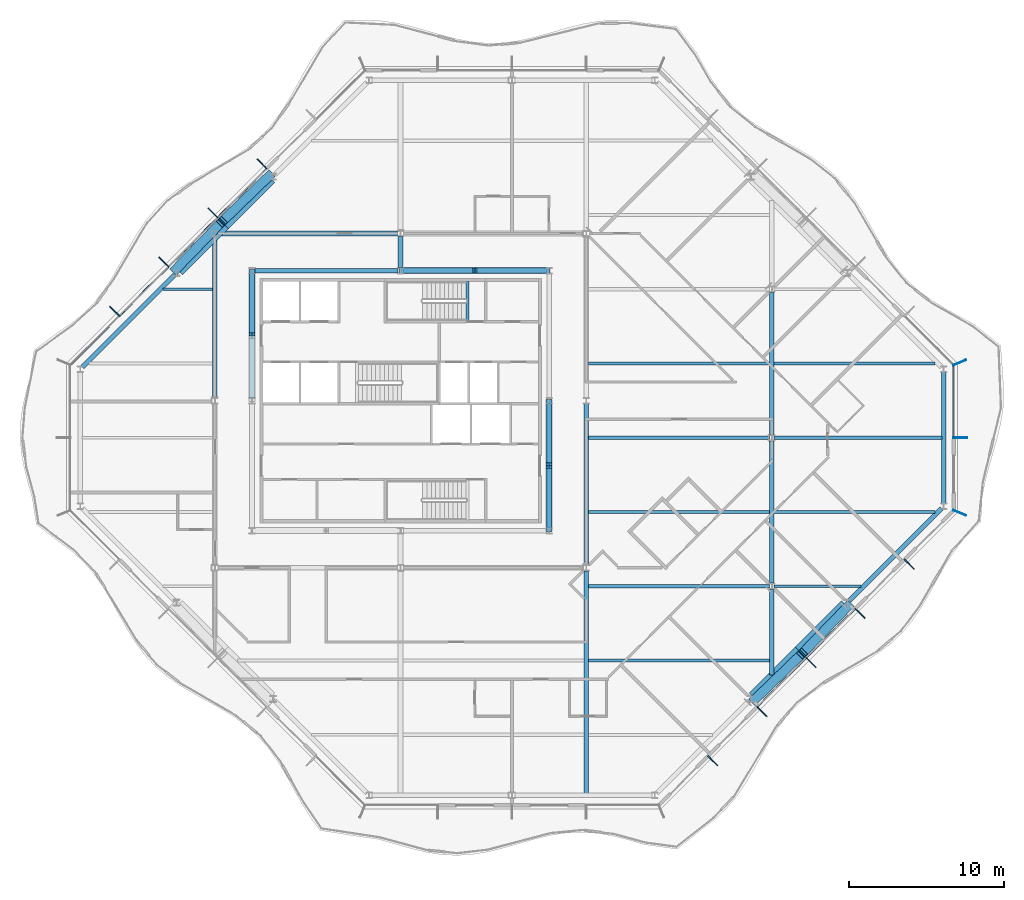
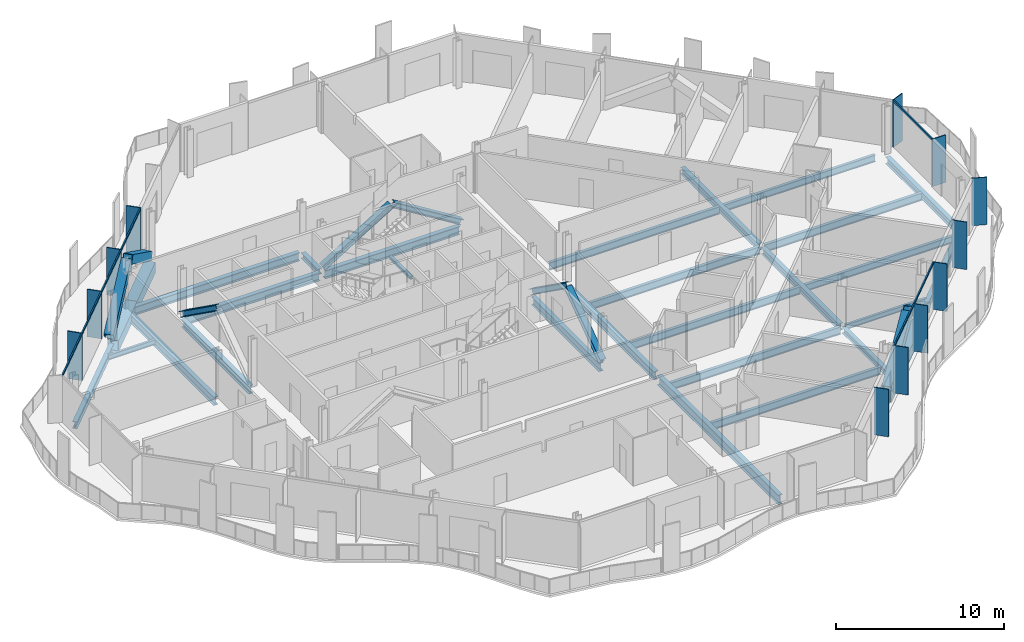
# One storey, part 4 of 17: 30 beams, 28 members, 4 elements without a shape of their own.
"""IFC4 building model written with IfcOpenShell, lengths in metres."""

from ifc_helpers import new_model, si_unit, direction, frame, origin, origin_2d, place, context, subcontext, project, spatial, rectangle, hollow_rectangle, i_section, extrude, material, material_profile, profile_set, type_object, element, aggregate, save


model = new_model("IFC4")

# Units and contexts
model_context = context("Model", 3, precision=1e-05, world=origin(), true_north=direction((0.0, 1.0)))
body_context = subcontext(model_context, "Body", "Model", "MODEL_VIEW")
ifc_project = project(units=[si_unit("LENGTHUNIT", "METRE"), si_unit("AREAUNIT", "SQUARE_METRE"), si_unit("VOLUMEUNIT", "CUBIC_METRE"), si_unit("PLANEANGLEUNIT", "RADIAN"), si_unit("MASSUNIT", "GRAM", prefix="KILO")], contexts=[model_context])

# Site, building, storey
site_placement = place(None, origin())
site = spatial("IfcSite", under=ifc_project, at=site_placement, CompositionType="ELEMENT")
building_placement = place(site_placement, origin())
building = spatial("IfcBuilding", under=site, at=building_placement, Name="Cairn Pilgrim Tower", CompositionType="ELEMENT")
storey_placement = place(building_placement, frame((0.0, 0.0, 246.60009765625)))
storey = spatial("IfcBuildingStorey", under=building, at=storey_placement, Name="L63", CompositionType="ELEMENT", Elevation=246.60009765625)

# Members
ifc_material_1 = material(Name="Structural steel S460M", Category="steel")
ifc_material_profile_1 = material_profile(ifc_material_1, hollow_rectangle(XDim=0.60009765625, YDim=0.60009765625, WallThickness=0.034912109375, at=origin_2d()), Name="BOX 600x600x35")
ifc_profile_set_1 = profile_set([ifc_material_profile_1], Name="Structural steel S460M")
member_type_1 = type_object("IfcMemberType", Name="BOX 600x600x35 BRACE", PredefinedType="BRACE", material=ifc_profile_set_1)
for number, where, z_axis, x_axis, name in (
    (1, (30.01318359375, -16.99462890625, 0.14990234375), (0.611806144004, 0.593141693494, 0.523331800675), (-0.696070308653, 0.717973624454, 0.0), "XB-SE2-SE3-1"),
    (2, (36.194580078125, -10.813232421875, 0.14990234375), (-0.593141693494, -0.611806144004, 0.523331800675), (0.717973624454, -0.696070308653, 0.0), "XB-SE2-SE3-2"),
    (3, (-1.213134765625, 16.99462890625, 0.14990234375), (-0.611806144004, -0.593141693494, 0.523331800675), (0.696070308653, -0.717973624454, 0.0), "XB-NW2-NW3-1"),
    (4, (-7.394775390625, 10.813232421875, 0.14990234375), (0.593141693494, 0.611806144004, 0.523331800675), (-0.717973624454, 0.696070308653, 0.0), "XB-NW2-NW3-2"),
):
    element("IfcMember", number, at=place(storey_placement, frame(where, z_axis=z_axis, x_axis=x_axis)), inside=storey, type_object=member_type_1, Name=name, PredefinedType="BRACE", context=body_context, shape_type="SweptSolid", body=[
        extrude(hollow_rectangle(XDim=0.60009765625, YDim=0.60009765625, WallThickness=0.034912109375, at=origin_2d()), origin(), (0.0, 0.0, 1.0), 5.035888671875),
    ])

# Beams
ifc_material_2 = material(Name="Structural steel S355J2", Category="steel")
ifc_material_profile_2 = material_profile(ifc_material_2, hollow_rectangle(XDim=0.699951171875, YDim=0.800048828125, WallThickness=0.0400390625, at=origin_2d()), Name="BOX 700x800x40")
ifc_profile_set_2 = profile_set([ifc_material_profile_2], Name="Structural steel S355J2")
beam_type_1 = type_object("IfcBeamType", Name="BOX 700x800x40 RING GIRDER", PredefinedType="SPANDREL", material=ifc_profile_set_2)
for number, where, z_axis, x_axis, name in (
    (5, (29.97998046875, -16.747314453125, -0.550048828125), (0.707106781187, 0.707106781187, 0.0), (-0.707106781187, 0.707106781187, 0.0), "RG3-SE2-SE3-1"),
    (6, (32.963623046875, -13.763671875, -0.550048828125), (0.707106781187, 0.707106781187, 0.0), (-0.707106781187, 0.707106781187, 0.0), "RG3-SE2-SE3-2"),
    (7, (-1.179931640625, 16.747314453125, -0.550048828125), (-0.707106781187, -0.707106781187, 0.0), (0.707106781187, -0.707106781187, 0.0), "RG3-NW2-NW3-1"),
    (8, (-4.16357421875, 13.763671875, -0.550048828125), (-0.707106781187, -0.707106781187, 0.0), (0.707106781187, -0.707106781187, 0.0), "RG3-NW2-NW3-2"),
):
    element("IfcBeam", number, at=place(storey_placement, frame(where, z_axis=z_axis, x_axis=x_axis)), inside=storey, type_object=beam_type_1, Name=name, PredefinedType="SPANDREL", context=body_context, shape_type="SweptSolid", body=[
        extrude(hollow_rectangle(XDim=0.699951171875, YDim=0.800048828125, WallThickness=0.0400390625, at=origin_2d()), origin(), (0.0, 0.0, 1.0), 4.219482421875),
    ])

# Curtain wall, members
ifc_material_3 = material(Name="Aluminium alloy 6063-T6 bronze anodised with Bronze tinted laminated low-E glass 8+16+8.8", Category="aluminium")
curtain_wall_type_1 = type_object("IfcCurtainWallType", Name="CHAMFER CORNER CURTAIN WALL", PredefinedType="NOTDEFINED", material=ifc_material_3)
curtain_wall_1_placement = place(storey_placement, origin())
curtain_wall_1 = element("IfcCurtainWall", 9, at=curtain_wall_1_placement, inside=storey, type_object=curtain_wall_type_1, Name="Chamfer Corner Curtain Wall SE", PredefinedType="NOTDEFINED")
ifc_material_4 = material(Name="Aluminium alloy 6063-T6 bronze anodised", Category="aluminium")
ifc_material_profile_3 = material_profile(ifc_material_4, rectangle(XDim=0.89990234375, YDim=0.06005859375, at=origin_2d()), Name="FIN MULLION 60x900 BRONZE")
ifc_profile_set_3 = profile_set([ifc_material_profile_3], Name="Aluminium alloy 6063-T6 bronze anodised")
member_type_2 = type_object("IfcMemberType", Name="FIN MULLION 60x900 BRONZE", PredefinedType="MULLION", material=ifc_profile_set_3)
member_1_placement = place(storey_placement, frame((27.369140625, -20.871337890625, 0.0), z_axis=(0.0, 0.0, 1.0), x_axis=(0.707106781187, -0.707106781187, 0.0)))
member_1 = element("IfcMember", 10, at=member_1_placement, type_object=member_type_2, Name="Fin mullion SE2", PredefinedType="MULLION", context=body_context, shape_type="SweptSolid", body=[
    extrude(rectangle(XDim=0.89990234375, YDim=0.06005859375, at=origin_2d()), origin(), (0.0, 0.0, 1.0), 3.449951171875),
])
member_2_placement = place(storey_placement, frame((30.544677734375, -17.69580078125, 0.0), z_axis=(0.0, 0.0, 1.0), x_axis=(0.707106781187, -0.707106781187, 0.0)))
member_2 = element("IfcMember", 11, at=member_2_placement, type_object=member_type_2, Name="Fin mullion SE3", PredefinedType="MULLION", context=body_context, shape_type="SweptSolid", body=[
    extrude(rectangle(XDim=0.89990234375, YDim=0.06005859375, at=origin_2d()), origin(), (0.0, 0.0, 1.0), 3.449951171875),
])
member_3_placement = place(storey_placement, frame((33.72021484375, -14.520263671875, 0.0), z_axis=(0.0, 0.0, 1.0), x_axis=(0.707106781187, -0.707106781187, 0.0)))
member_3 = element("IfcMember", 12, at=member_3_placement, type_object=member_type_2, Name="Fin mullion SE4", PredefinedType="MULLION", context=body_context, shape_type="SweptSolid", body=[
    extrude(rectangle(XDim=0.89990234375, YDim=0.06005859375, at=origin_2d()), origin(), (0.0, 0.0, 1.0), 3.449951171875),
])
member_4_placement = place(storey_placement, frame((36.895751953125, -11.3447265625, 0.0), z_axis=(0.0, 0.0, 1.0), x_axis=(0.707106781187, -0.707106781187, 0.0)))
member_4 = element("IfcMember", 13, at=member_4_placement, type_object=member_type_2, Name="Fin mullion SE5", PredefinedType="MULLION", context=body_context, shape_type="SweptSolid", body=[
    extrude(rectangle(XDim=0.89990234375, YDim=0.06005859375, at=origin_2d()), origin(), (0.0, 0.0, 1.0), 3.449951171875),
])
member_5_placement = place(storey_placement, frame((40.0712890625, -8.1689453125, 0.0), z_axis=(0.0, 0.0, 1.0), x_axis=(0.707106781187, -0.707106781187, 0.0)))
member_5 = element("IfcMember", 14, at=member_5_placement, type_object=member_type_2, Name="Fin mullion SE6", PredefinedType="MULLION", context=body_context, shape_type="SweptSolid", body=[
    extrude(rectangle(XDim=0.89990234375, YDim=0.06005859375, at=origin_2d()), origin(), (0.0, 0.0, 1.0), 3.449951171875),
])

curtain_wall_type_2 = type_object("IfcCurtainWallType", Name="TOWER STICK CURTAIN WALL EW", PredefinedType="NOTDEFINED", material=ifc_material_3)
curtain_wall_2_placement = place(storey_placement, origin())
curtain_wall_2 = element("IfcCurtainWall", 15, at=curtain_wall_2_placement, inside=storey, type_object=curtain_wall_type_2, Name="Tower Stick Curtain Wall Ew E", PredefinedType="NOTDEFINED")
member_6_placement = place(storey_placement, frame((43.338134765625, -4.857177734375, 0.0), z_axis=(0.0, 0.0, 1.0), x_axis=(0.923879532511, -0.382683432365, 0.0)))
member_6 = element("IfcMember", 16, at=member_6_placement, type_object=member_type_2, Name="Fin mullion E1", PredefinedType="MULLION", context=body_context, shape_type="SweptSolid", body=[
    extrude(rectangle(XDim=0.89990234375, YDim=0.06005859375, at=origin_2d()), origin(), (0.0, 0.0, 1.0), 3.449951171875),
])
member_7_placement = place(storey_placement, frame((43.3701171875, 0.0, 0.0), z_axis=(0.0, 0.0, 1.0), x_axis=(1.0, 0.0, 0.0)))
member_7 = element("IfcMember", 17, at=member_7_placement, type_object=member_type_2, Name="Fin mullion E2", PredefinedType="MULLION", context=body_context, shape_type="SweptSolid", body=[
    extrude(rectangle(XDim=0.89990234375, YDim=0.06005859375, at=origin_2d()), origin(), (0.0, 0.0, 1.0), 3.449951171875),
])

# Curtain wall, member
curtain_wall_3_placement = place(storey_placement, origin())
curtain_wall_3 = element("IfcCurtainWall", 18, at=curtain_wall_3_placement, inside=storey, type_object=curtain_wall_type_1, Name="Chamfer Corner Curtain Wall NE", PredefinedType="NOTDEFINED")
member_8_placement = place(storey_placement, frame((43.338134765625, 4.857177734375, 0.0), z_axis=(0.0, 0.0, 1.0), x_axis=(0.923879532511, 0.382683432365, 0.0)))
member_8 = element("IfcMember", 19, at=member_8_placement, type_object=member_type_2, Name="Fin mullion NE1", PredefinedType="MULLION", context=body_context, shape_type="SweptSolid", body=[
    extrude(rectangle(XDim=0.89990234375, YDim=0.06005859375, at=origin_2d()), origin(), (0.0, 0.0, 1.0), 3.449951171875),
])
aggregate(curtain_wall_3, [member_8])

# Curtain wall, members
curtain_wall_4_placement = place(storey_placement, origin())
curtain_wall_4 = element("IfcCurtainWall", 20, at=curtain_wall_4_placement, inside=storey, type_object=curtain_wall_type_1, Name="Chamfer Corner Curtain Wall NW", PredefinedType="NOTDEFINED")
member_9_placement = place(storey_placement, frame((-1.74462890625, 17.69580078125, 0.0), z_axis=(0.0, 0.0, 1.0), x_axis=(-0.707106781187, 0.707106781187, 0.0)))
member_9 = element("IfcMember", 21, at=member_9_placement, type_object=member_type_2, Name="Fin mullion NW3", PredefinedType="MULLION", context=body_context, shape_type="SweptSolid", body=[
    extrude(rectangle(XDim=0.89990234375, YDim=0.06005859375, at=origin_2d()), origin(), (0.0, 0.0, 1.0), 3.449951171875),
])
member_10_placement = place(storey_placement, frame((-4.920166015625, 14.520263671875, 0.0), z_axis=(0.0, 0.0, 1.0), x_axis=(-0.707106781187, 0.707106781187, 0.0)))
member_10 = element("IfcMember", 22, at=member_10_placement, type_object=member_type_2, Name="Fin mullion NW4", PredefinedType="MULLION", context=body_context, shape_type="SweptSolid", body=[
    extrude(rectangle(XDim=0.89990234375, YDim=0.06005859375, at=origin_2d()), origin(), (0.0, 0.0, 1.0), 3.449951171875),
])
member_11_placement = place(storey_placement, frame((-8.095703125, 11.3447265625, 0.0), z_axis=(0.0, 0.0, 1.0), x_axis=(-0.707106781187, 0.707106781187, 0.0)))
member_11 = element("IfcMember", 23, at=member_11_placement, type_object=member_type_2, Name="Fin mullion NW5", PredefinedType="MULLION", context=body_context, shape_type="SweptSolid", body=[
    extrude(rectangle(XDim=0.89990234375, YDim=0.06005859375, at=origin_2d()), origin(), (0.0, 0.0, 1.0), 3.449951171875),
])
member_12_placement = place(storey_placement, frame((-11.271484375, 8.1689453125, 0.0), z_axis=(0.0, 0.0, 1.0), x_axis=(-0.707106781187, 0.707106781187, 0.0)))
member_12 = element("IfcMember", 24, at=member_12_placement, type_object=member_type_2, Name="Fin mullion NW6", PredefinedType="MULLION", context=body_context, shape_type="SweptSolid", body=[
    extrude(rectangle(XDim=0.89990234375, YDim=0.06005859375, at=origin_2d()), origin(), (0.0, 0.0, 1.0), 3.449951171875),
])

# Members
ifc_material_profile_4 = material_profile(ifc_material_2, i_section(OverallWidth=0.39794921875, OverallDepth=0.386962890625, WebThickness=0.02099609375, FlangeThickness=0.033203125, FilletRadius=0.014892578125, at=origin_2d()), Name="HD 400x262")
ifc_profile_set_4 = profile_set([ifc_material_profile_4], Name="Structural steel S355J2")
member_type_3 = type_object("IfcMemberType", Name="HD 400x262 BRACE", PredefinedType="BRACE", material=ifc_profile_set_4)
for number, where, z_axis, x_axis, name in (
    (25, (16.800048828125, -5.960205078125, 0.099853515625), (0.0, 0.814462005215, 0.580216892258), (-1.0, 0.0, 0.0), "KB-2A"),
    (26, (16.800048828125, 2.360107421875, 0.099853515625), (0.0, -0.814462005215, 0.580216892258), (1.0, 0.0, 0.0), "KB-2B"),
):
    element("IfcMember", number, at=place(storey_placement, frame(where, z_axis=z_axis, x_axis=x_axis)), inside=storey, type_object=member_type_3, Name=name, PredefinedType="BRACE", context=body_context, shape_type="SweptSolid", body=[
        extrude(i_section(OverallWidth=0.39794921875, OverallDepth=0.386962890625, WebThickness=0.02099609375, FlangeThickness=0.033203125, FilletRadius=0.014892578125, at=origin_2d()), origin(), (0.0, 0.0, 1.0), 4.999755859375),
    ])
for number, where, z_axis, x_axis, name in (
    (27, (16.76025390625, 10.800048828125, 0.099853515625), (-0.851209328867, 0.0, 0.524826331703), (0.0, -1.0, 0.0), "KB-3A"),
    (28, (7.23974609375, 10.800048828125, 0.099853515625), (0.851209328867, 0.0, 0.524826331703), (0.0, 1.0, 0.0), "KB-3B"),
):
    element("IfcMember", number, at=place(storey_placement, frame(where, z_axis=z_axis, x_axis=x_axis)), inside=storey, type_object=member_type_3, Name=name, PredefinedType="BRACE", context=body_context, shape_type="SweptSolid", body=[
        extrude(i_section(OverallWidth=0.39794921875, OverallDepth=0.386962890625, WebThickness=0.02099609375, FlangeThickness=0.033203125, FilletRadius=0.014892578125, at=origin_2d()), origin(), (0.0, 0.0, 1.0), 5.530029296875),
    ])
member_13_placement = place(storey_placement, frame((-2.39990234375, 10.76025390625, 0.099853515625), z_axis=(0.0, -0.814462005215, 0.580216892258), x_axis=(1.0, 0.0, 0.0)))
element("IfcMember", 29, at=member_13_placement, inside=storey, type_object=member_type_3, Name="KB-4A", PredefinedType="BRACE", context=body_context, shape_type="SweptSolid", body=[
    extrude(i_section(OverallWidth=0.39794921875, OverallDepth=0.386962890625, WebThickness=0.02099609375, FlangeThickness=0.033203125, FilletRadius=0.014892578125, at=origin_2d()), origin(), (0.0, 0.0, 1.0), 4.999755859375),
])

# Beams
ifc_material_profile_5 = material_profile(ifc_material_2, i_section(OverallWidth=0.300048828125, OverallDepth=0.39990234375, WebThickness=0.013427734375, FlangeThickness=0.02392578125, FilletRadius=0.027099609375, at=origin_2d()), Name="HEB 400")
ifc_profile_set_5 = profile_set([ifc_material_profile_5], Name="Structural steel S355J2")
beam_type_2 = type_object("IfcBeamType", Name="HEB 400 GIRDER", PredefinedType="BEAM", material=ifc_profile_set_5)
beam_1_placement = place(storey_placement, frame((7.199951171875, 10.9990234375, -0.35009765625), z_axis=(0.0, 1.0, 0.0), x_axis=(-1.0, 0.0, 0.0)))
element("IfcBeam", 30, at=beam_1_placement, inside=storey, type_object=beam_type_2, Name="PG3-E2", PredefinedType="BEAM", context=body_context, shape_type="SweptSolid", body=[
    extrude(i_section(OverallWidth=0.300048828125, OverallDepth=0.39990234375, WebThickness=0.013427734375, FlangeThickness=0.02392578125, FilletRadius=0.027099609375, at=origin_2d()), origin(), (0.0, 0.0, 1.0), 2.00390625),
])
beam_2_placement = place(storey_placement, frame((31.199951171875, -15.34521484375, -0.35009765625), z_axis=(0.0, 1.0, 0.0), x_axis=(-1.0, 0.0, 0.0)))
element("IfcBeam", 31, at=beam_2_placement, inside=storey, type_object=beam_type_2, Name="PG5-1", PredefinedType="BEAM", context=body_context, shape_type="SweptSolid", body=[
    extrude(i_section(OverallWidth=0.300048828125, OverallDepth=0.39990234375, WebThickness=0.013427734375, FlangeThickness=0.02392578125, FilletRadius=0.027099609375, at=origin_2d()), origin(), (0.0, 0.0, 1.0), 5.545654296875),
])
ifc_material_profile_6 = material_profile(ifc_material_2, i_section(OverallWidth=0.300048828125, OverallDepth=0.5, WebThickness=0.014404296875, FlangeThickness=0.028076171875, FilletRadius=0.027099609375, at=origin_2d()), Name="HEB 500")
ifc_profile_set_6 = profile_set([ifc_material_profile_6], Name="Structural steel S355J2")
beam_type_3 = type_object("IfcBeamType", Name="HEB 500 GIRDER", PredefinedType="BEAM", material=ifc_profile_set_6)
for number, where, z_axis, x_axis, name in (
    (32, (31.199951171875, -9.400390625, -0.400146484375), (0.0, 1.0, 0.0), (-1.0, 0.0, 0.0), "PG5-2"),
    (33, (31.199951171875, 0.199462890625, -0.400146484375), (0.0, 1.0, 0.0), (-1.0, 0.0, 0.0), "PG5-3"),
):
    element("IfcBeam", number, at=place(storey_placement, frame(where, z_axis=z_axis, x_axis=x_axis)), inside=storey, type_object=beam_type_3, Name=name, PredefinedType="BEAM", context=body_context, shape_type="SweptSolid", body=[
        extrude(i_section(OverallWidth=0.300048828125, OverallDepth=0.5, WebThickness=0.014404296875, FlangeThickness=0.028076171875, FilletRadius=0.027099609375, at=origin_2d()), origin(), (0.0, 0.0, 1.0), 9.200927734375),
    ])
ifc_material_profile_7 = material_profile(ifc_material_2, i_section(OverallWidth=0.300048828125, OverallDepth=0.5, WebThickness=0.014404296875, FlangeThickness=0.028076171875, FilletRadius=0.027099609375, at=origin_2d()), Name="HEB 500")
ifc_profile_set_7 = profile_set([ifc_material_profile_7], Name="Structural steel S355J2")
beam_type_4 = type_object("IfcBeamType", Name="HEB 500 RING GIRDER", PredefinedType="SPANDREL", material=ifc_profile_set_7)
beam_3_placement = place(storey_placement, frame((36.204345703125, -10.52294921875, -0.400146484375), z_axis=(0.707106781187, 0.707106781187, 0.0), x_axis=(-0.707106781187, 0.707106781187, 0.0)))
element("IfcBeam", 34, at=beam_3_placement, inside=storey, type_object=beam_type_4, Name="RG3-SE3-E1", PredefinedType="SPANDREL", context=body_context, shape_type="SweptSolid", body=[
    extrude(i_section(OverallWidth=0.300048828125, OverallDepth=0.5, WebThickness=0.014404296875, FlangeThickness=0.028076171875, FilletRadius=0.027099609375, at=origin_2d()), origin(), (0.0, 0.0, 1.0), 8.438720703125),
])
beam_4_placement = place(storey_placement, frame((42.300048828125, -4.245361328125, -0.400146484375), z_axis=(0.0, 1.0, 0.0), x_axis=(-1.0, 0.0, 0.0)))
element("IfcBeam", 35, at=beam_4_placement, inside=storey, type_object=beam_type_4, Name="RG3-E1-NE1", PredefinedType="SPANDREL", context=body_context, shape_type="SweptSolid", body=[
    extrude(i_section(OverallWidth=0.300048828125, OverallDepth=0.5, WebThickness=0.014404296875, FlangeThickness=0.028076171875, FilletRadius=0.027099609375, at=origin_2d()), origin(), (0.0, 0.0, 1.0), 8.49072265625),
])
beam_5_placement = place(storey_placement, frame((-7.404296875, 10.52294921875, -0.400146484375), z_axis=(-0.707106781187, -0.707106781187, 0.0), x_axis=(0.707106781187, -0.707106781187, 0.0)))
element("IfcBeam", 36, at=beam_5_placement, inside=storey, type_object=beam_type_4, Name="RG3-NW3-W1", PredefinedType="SPANDREL", context=body_context, shape_type="SweptSolid", body=[
    extrude(i_section(OverallWidth=0.300048828125, OverallDepth=0.5, WebThickness=0.014404296875, FlangeThickness=0.028076171875, FilletRadius=0.027099609375, at=origin_2d()), origin(), (0.0, 0.0, 1.0), 8.438720703125),
])
ifc_material_profile_8 = material_profile(ifc_material_2, i_section(OverallWidth=0.300048828125, OverallDepth=0.60009765625, WebThickness=0.015380859375, FlangeThickness=0.030029296875, FilletRadius=0.027099609375, at=origin_2d()), Name="HEB 600")
ifc_profile_set_8 = profile_set([ifc_material_profile_8], Name="Structural steel S355J2")
beam_type_5 = type_object("IfcBeamType", Name="HEB 600 CORE BEAM", PredefinedType="BEAM", material=ifc_profile_set_8)
beam_6_placement = place(storey_placement, frame((16.800048828125, -5.82080078125, -0.4501953125), z_axis=(0.0, 1.0, 0.0), x_axis=(-1.0, 0.0, 0.0)))
element("IfcBeam", 37, at=beam_6_placement, inside=storey, type_object=beam_type_5, Name="CB-3", PredefinedType="BEAM", context=body_context, shape_type="SweptSolid", body=[
    extrude(i_section(OverallWidth=0.300048828125, OverallDepth=0.60009765625, WebThickness=0.015380859375, FlangeThickness=0.030029296875, FilletRadius=0.027099609375, at=origin_2d()), origin(), (0.0, 0.0, 1.0), 8.041748046875),
])
beam_7_placement = place(storey_placement, frame((16.620849609375, 10.800048828125, -0.4501953125), z_axis=(-1.0, 0.0, 0.0), x_axis=(0.0, -1.0, 0.0)))
element("IfcBeam", 38, at=beam_7_placement, inside=storey, type_object=beam_type_5, Name="CB-5", PredefinedType="BEAM", context=body_context, shape_type="SweptSolid", body=[
    extrude(i_section(OverallWidth=0.300048828125, OverallDepth=0.60009765625, WebThickness=0.015380859375, FlangeThickness=0.030029296875, FilletRadius=0.027099609375, at=origin_2d()), origin(), (0.0, 0.0, 1.0), 9.24169921875),
])
beam_8_placement = place(storey_placement, frame((7.02099609375, 10.800048828125, -0.4501953125), z_axis=(-1.0, 0.0, 0.0), x_axis=(0.0, -1.0, 0.0)))
element("IfcBeam", 39, at=beam_8_placement, inside=storey, type_object=beam_type_5, Name="CB-6", PredefinedType="BEAM", context=body_context, shape_type="SweptSolid", body=[
    extrude(i_section(OverallWidth=0.300048828125, OverallDepth=0.60009765625, WebThickness=0.015380859375, FlangeThickness=0.030029296875, FilletRadius=0.027099609375, at=origin_2d()), origin(), (0.0, 0.0, 1.0), 9.241943359375),
])
beam_9_placement = place(storey_placement, frame((-2.39990234375, 10.620849609375, -0.4501953125), z_axis=(0.0, -1.0, 0.0), x_axis=(1.0, 0.0, 0.0)))
element("IfcBeam", 40, at=beam_9_placement, inside=storey, type_object=beam_type_5, Name="CB-7", PredefinedType="BEAM", context=body_context, shape_type="SweptSolid", body=[
    extrude(i_section(OverallWidth=0.300048828125, OverallDepth=0.60009765625, WebThickness=0.015380859375, FlangeThickness=0.030029296875, FilletRadius=0.027099609375, at=origin_2d()), origin(), (0.0, 0.0, 1.0), 8.041748046875),
])
ifc_material_profile_9 = material_profile(ifc_material_2, i_section(OverallWidth=0.300048828125, OverallDepth=0.60009765625, WebThickness=0.015380859375, FlangeThickness=0.030029296875, FilletRadius=0.027099609375, at=origin_2d()), Name="HEB 600")
ifc_profile_set_9 = profile_set([ifc_material_profile_9], Name="Structural steel S355J2")
beam_type_6 = type_object("IfcBeamType", Name="HEB 600 GIRDER", PredefinedType="BEAM", material=ifc_profile_set_9)
beam_10_placement = place(storey_placement, frame((-4.800048828125, 2.596923828125, -0.4501953125), z_axis=(0.0, 1.0, 0.0), x_axis=(-1.0, 0.0, 0.0)))
element("IfcBeam", 41, at=beam_10_placement, inside=storey, type_object=beam_type_6, Name="PG2-3", PredefinedType="BEAM", context=body_context, shape_type="SweptSolid", body=[
    extrude(i_section(OverallWidth=0.300048828125, OverallDepth=0.60009765625, WebThickness=0.015380859375, FlangeThickness=0.030029296875, FilletRadius=0.027099609375, at=origin_2d()), origin(), (0.0, 0.0, 1.0), 10.34814453125),
])
beam_11_placement = place(storey_placement, frame((19.199951171875, -8.202880859375, -0.4501953125), z_axis=(0.0, 1.0, 0.0), x_axis=(-1.0, 0.0, 0.0)))
element("IfcBeam", 42, at=beam_11_placement, inside=storey, type_object=beam_type_6, Name="PG4-2", PredefinedType="BEAM", context=body_context, shape_type="SweptSolid", body=[
    extrude(i_section(OverallWidth=0.300048828125, OverallDepth=0.60009765625, WebThickness=0.015380859375, FlangeThickness=0.030029296875, FilletRadius=0.027099609375, at=origin_2d()), origin(), (0.0, 0.0, 1.0), 10.40576171875),
])
ifc_material_profile_10 = material_profile(ifc_material_2, i_section(OverallWidth=0.300048828125, OverallDepth=0.60009765625, WebThickness=0.015380859375, FlangeThickness=0.030029296875, FilletRadius=0.027099609375, at=origin_2d()), Name="HEB 600")
ifc_profile_set_10 = profile_set([ifc_material_profile_10], Name="Structural steel S355J2")
beam_type_7 = type_object("IfcBeamType", Name="HEB 600 INNER GIRDER", PredefinedType="BEAM", material=ifc_profile_set_10)
beam_12_placement = place(storey_placement, frame((-4.60302734375, 13.199951171875, -0.4501953125), z_axis=(1.0, 0.0, 0.0), x_axis=(0.0, 1.0, 0.0)))
element("IfcBeam", 43, at=beam_12_placement, inside=storey, type_object=beam_type_7, Name="IG2-1", PredefinedType="BEAM", context=body_context, shape_type="SweptSolid", body=[
    extrude(i_section(OverallWidth=0.300048828125, OverallDepth=0.60009765625, WebThickness=0.015380859375, FlangeThickness=0.030029296875, FilletRadius=0.027099609375, at=origin_2d()), origin(), (0.0, 0.0, 1.0), 11.60595703125),
])
ifc_material_profile_11 = material_profile(ifc_material_2, i_section(OverallWidth=0.300048828125, OverallDepth=0.699951171875, WebThickness=0.01708984375, FlangeThickness=0.031982421875, FilletRadius=0.027099609375, at=origin_2d()), Name="HEB 700")
ifc_profile_set_11 = profile_set([ifc_material_profile_11], Name="Structural steel S355J2")
beam_type_8 = type_object("IfcBeamType", Name="HEB 700 GIRDER", PredefinedType="BEAM", material=ifc_profile_set_11)
beam_13_placement = place(storey_placement, frame((19.199951171875, -22.97998046875, -0.5), z_axis=(0.0, 1.0, 0.0), x_axis=(-1.0, 0.0, 0.0)))
element("IfcBeam", 44, at=beam_13_placement, inside=storey, type_object=beam_type_8, Name="PG4-1", PredefinedType="BEAM", context=body_context, shape_type="SweptSolid", body=[
    extrude(i_section(OverallWidth=0.300048828125, OverallDepth=0.699951171875, WebThickness=0.01708984375, FlangeThickness=0.031982421875, FilletRadius=0.027099609375, at=origin_2d()), origin(), (0.0, 0.0, 1.0), 14.383056640625),
])
ifc_material_profile_12 = material_profile(ifc_material_2, i_section(OverallWidth=0.169921875, OverallDepth=0.360107421875, WebThickness=0.008056640625, FlangeThickness=0.0126953125, FilletRadius=0.01806640625, at=origin_2d()), Name="IPE 360")
ifc_profile_set_12 = profile_set([ifc_material_profile_12], Name="Structural steel S355J2")
beam_type_9 = type_object("IfcBeamType", Name="IPE 360 SECONDARY BEAM", PredefinedType="JOIST", material=ifc_profile_set_12)
beam_14_placement = place(storey_placement, frame((31.35009765625, -9.60009765625, -0.330078125), z_axis=(1.0, 0.0, 0.0), x_axis=(0.0, 1.0, 0.0)))
element("IfcBeam", 45, at=beam_14_placement, inside=storey, type_object=beam_type_9, Name="SB3-3", PredefinedType="JOIST", context=body_context, shape_type="SweptSolid", body=[
    extrude(i_section(OverallWidth=0.169921875, OverallDepth=0.360107421875, WebThickness=0.008056640625, FlangeThickness=0.0126953125, FilletRadius=0.01806640625, at=origin_2d()), origin(), (0.0, 0.0, 1.0), 5.594970703125),
])
beam_15_placement = place(storey_placement, frame((-8.14501953125, 9.60009765625, -0.330078125), z_axis=(1.0, 0.0, 0.0), x_axis=(0.0, 1.0, 0.0)))
element("IfcBeam", 46, at=beam_15_placement, inside=storey, type_object=beam_type_9, Name="SB7-1", PredefinedType="JOIST", context=body_context, shape_type="SweptSolid", body=[
    extrude(i_section(OverallWidth=0.169921875, OverallDepth=0.360107421875, WebThickness=0.008056640625, FlangeThickness=0.0126953125, FilletRadius=0.01806640625, at=origin_2d()), origin(), (0.0, 0.0, 1.0), 3.195068359375),
])
ifc_material_profile_13 = material_profile(ifc_material_2, i_section(OverallWidth=0.199951171875, OverallDepth=0.5, WebThickness=0.01025390625, FlangeThickness=0.01611328125, FilletRadius=0.02099609375, at=origin_2d()), Name="IPE 500")
ifc_profile_set_13 = profile_set([ifc_material_profile_13], Name="Structural steel S355J2")
beam_type_10 = type_object("IfcBeamType", Name="IPE 500 SECONDARY BEAM", PredefinedType="JOIST", material=ifc_profile_set_13)
for number, where, z_axis, x_axis, name in (
    (47, (31.35009765625, -4.800048828125, -0.400146484375), (1.0, 0.0, 0.0), (0.0, 1.0, 0.0), "SB4-3"),
    (48, (31.35009765625, 4.800048828125, -0.400146484375), (1.0, 0.0, 0.0), (0.0, 1.0, 0.0), "SB6-3"),
):
    element("IfcBeam", number, at=place(storey_placement, frame(where, z_axis=z_axis, x_axis=x_axis)), inside=storey, type_object=beam_type_10, Name=name, PredefinedType="JOIST", context=body_context, shape_type="SweptSolid", body=[
        extrude(i_section(OverallWidth=0.199951171875, OverallDepth=0.5, WebThickness=0.01025390625, FlangeThickness=0.01611328125, FilletRadius=0.02099609375, at=origin_2d()), origin(), (0.0, 0.0, 1.0), 10.39501953125),
    ])
ifc_material_profile_14 = material_profile(ifc_material_2, i_section(OverallWidth=0.2099609375, OverallDepth=0.550048828125, WebThickness=0.010986328125, FlangeThickness=0.01708984375, FilletRadius=0.02392578125, at=origin_2d()), Name="IPE 550")
ifc_profile_set_14 = profile_set([ifc_material_profile_14], Name="Structural steel S355J2")
beam_type_11 = type_object("IfcBeamType", Name="IPE 550 SECONDARY BEAM", PredefinedType="JOIST", material=ifc_profile_set_14)
for number, where, z_axis, x_axis, name in (
    (49, (19.35009765625, -14.39990234375, -0.425048828125), (1.0, 0.0, 0.0), (0.0, 1.0, 0.0), "SB2-3"),
    (50, (19.35009765625, -9.60009765625, -0.425048828125), (1.0, 0.0, 0.0), (0.0, 1.0, 0.0), "SB3-2"),
    (51, (19.35009765625, -4.800048828125, -0.425048828125), (1.0, 0.0, 0.0), (0.0, 1.0, 0.0), "SB4-2"),
    (52, (19.35009765625, 0.0, -0.425048828125), (1.0, 0.0, 0.0), (0.0, 1.0, 0.0), "SB5-2"),
):
    element("IfcBeam", number, at=place(storey_placement, frame(where, z_axis=z_axis, x_axis=x_axis)), inside=storey, type_object=beam_type_11, Name=name, PredefinedType="JOIST", context=body_context, shape_type="SweptSolid", body=[
        extrude(i_section(OverallWidth=0.2099609375, OverallDepth=0.550048828125, WebThickness=0.010986328125, FlangeThickness=0.01708984375, FilletRadius=0.02392578125, at=origin_2d()), origin(), (0.0, 0.0, 1.0), 11.699951171875),
    ])
beam_16_placement = place(storey_placement, frame((31.35009765625, 0.0, -0.425048828125), z_axis=(1.0, 0.0, 0.0), x_axis=(0.0, 1.0, 0.0)))
element("IfcBeam", 53, at=beam_16_placement, inside=storey, type_object=beam_type_11, Name="SB5-3", PredefinedType="JOIST", context=body_context, shape_type="SweptSolid", body=[
    extrude(i_section(OverallWidth=0.2099609375, OverallDepth=0.550048828125, WebThickness=0.010986328125, FlangeThickness=0.01708984375, FilletRadius=0.02392578125, at=origin_2d()), origin(), (0.0, 0.0, 1.0), 10.829833984375),
])
beam_17_placement = place(storey_placement, frame((19.35009765625, 4.800048828125, -0.425048828125), z_axis=(1.0, 0.0, 0.0), x_axis=(0.0, 1.0, 0.0)))
element("IfcBeam", 54, at=beam_17_placement, inside=storey, type_object=beam_type_11, Name="SB6-2", PredefinedType="JOIST", context=body_context, shape_type="SweptSolid", body=[
    extrude(i_section(OverallWidth=0.2099609375, OverallDepth=0.550048828125, WebThickness=0.010986328125, FlangeThickness=0.01708984375, FilletRadius=0.02392578125, at=origin_2d()), origin(), (0.0, 0.0, 1.0), 11.699951171875),
])
ifc_material_profile_15 = material_profile(ifc_material_2, i_section(OverallWidth=0.199951171875, OverallDepth=0.199951171875, WebThickness=0.009033203125, FlangeThickness=0.014892578125, FilletRadius=0.01806640625, at=origin_2d()), Name="HE 200 B")
ifc_profile_set_15 = profile_set([ifc_material_profile_15], Name="Structural steel S355J2")
beam_type_12 = type_object("IfcBeamType", Name="STAIR LANDING BEAM HE 200 B", PredefinedType="BEAM", material=ifc_profile_set_15)
beam_18_placement = place(storey_placement, frame((11.5244140625, 10.10009765625, -0.25), z_axis=(0.0, -1.0, 0.0), x_axis=(1.0, 0.0, 0.0)))
element("IfcBeam", 55, at=beam_18_placement, inside=storey, type_object=beam_type_12, Name="STAIR LANDING BEAM LD-HE200B", PredefinedType="BEAM", context=body_context, shape_type="SweptSolid", body=[
    extrude(i_section(OverallWidth=0.199951171875, OverallDepth=0.199951171875, WebThickness=0.009033203125, FlangeThickness=0.014892578125, FilletRadius=0.01806640625, at=origin_2d()), origin(), (0.0, 0.0, 1.0), 2.525146484375),
])

# Member
ifc_material_profile_16 = material_profile(ifc_material_4, rectangle(XDim=0.080078125, YDim=0.14990234375, at=origin_2d()), Name="TRANSOM 80x150 BRONZE")
ifc_profile_set_16 = profile_set([ifc_material_profile_16], Name="Aluminium alloy 6063-T6 bronze anodised")
member_type_4 = type_object("IfcMemberType", Name="TRANSOM 80x150 BRONZE", PredefinedType="USERDEFINED", material=ifc_profile_set_16)
member_14_placement = place(storey_placement, frame((30.268798828125, -17.377685546875, 3.375), z_axis=(0.707106781187, 0.707106781187, 0.0), x_axis=(-0.707106781187, 0.707106781187, 0.0)))
member_14 = element("IfcMember", 56, at=member_14_placement, type_object=member_type_4, Name="Transom SE3", ObjectType="TRANSOM", PredefinedType="USERDEFINED", context=body_context, shape_type="SweptSolid", body=[
    extrude(rectangle(XDim=0.080078125, YDim=0.14990234375, at=origin_2d()), origin(), (0.0, 0.0, 1.0), 4.43115234375),
])

member_15_placement = place(storey_placement, frame((33.4443359375, -14.201904296875, 3.375), z_axis=(0.707134329907, 0.707079231393, 0.0), x_axis=(-0.707079231393, 0.707134329907, 0.0)))
member_15 = element("IfcMember", 57, at=member_15_placement, type_object=member_type_4, Name="Transom SE4", ObjectType="TRANSOM", PredefinedType="USERDEFINED", context=body_context, shape_type="SweptSolid", body=[
    extrude(rectangle(XDim=0.080078125, YDim=0.14990234375, at=origin_2d()), origin(), (0.0, 0.0, 1.0), 4.430908203125),
])

aggregate(curtain_wall_1, [member_1, member_2, member_3, member_4, member_5, member_14, member_15])

member_16_placement = place(storey_placement, frame((42.949951171875, 0.030029296875, 3.375), z_axis=(0.0, 1.0, 0.0), x_axis=(-1.0, 0.0, 0.0)))
member_16 = element("IfcMember", 58, at=member_16_placement, type_object=member_type_4, Name="Transom E2", ObjectType="TRANSOM", PredefinedType="USERDEFINED", context=body_context, shape_type="SweptSolid", body=[
    extrude(rectangle(XDim=0.080078125, YDim=0.14990234375, at=origin_2d()), origin(), (0.0, 0.0, 1.0), 4.62646484375),
])

aggregate(curtain_wall_2, [member_6, member_7, member_16])

member_17_placement = place(storey_placement, frame((-1.46875, 17.377685546875, 3.375), z_axis=(-0.707106781187, -0.707106781187, 0.0), x_axis=(0.707106781187, -0.707106781187, 0.0)))
member_17 = element("IfcMember", 59, at=member_17_placement, type_object=member_type_4, Name="Transom NW3", ObjectType="TRANSOM", PredefinedType="USERDEFINED", context=body_context, shape_type="SweptSolid", body=[
    extrude(rectangle(XDim=0.080078125, YDim=0.14990234375, at=origin_2d()), origin(), (0.0, 0.0, 1.0), 4.43115234375),
])

member_18_placement = place(storey_placement, frame((-4.64453125, 14.201904296875, 3.375), z_axis=(-0.707106781187, -0.707106781187, 0.0), x_axis=(0.707106781187, -0.707106781187, 0.0)))
member_18 = element("IfcMember", 60, at=member_18_placement, type_object=member_type_4, Name="Transom NW4", ObjectType="TRANSOM", PredefinedType="USERDEFINED", context=body_context, shape_type="SweptSolid", body=[
    extrude(rectangle(XDim=0.080078125, YDim=0.14990234375, at=origin_2d()), origin(), (0.0, 0.0, 1.0), 4.430908203125),
])

member_19_placement = place(storey_placement, frame((-7.820068359375, 11.0263671875, 3.375), z_axis=(-0.707106781187, -0.707106781187, 0.0), x_axis=(0.707106781187, -0.707106781187, 0.0)))
member_19 = element("IfcMember", 61, at=member_19_placement, type_object=member_type_4, Name="Transom NW5", ObjectType="TRANSOM", PredefinedType="USERDEFINED", context=body_context, shape_type="SweptSolid", body=[
    extrude(rectangle(XDim=0.080078125, YDim=0.14990234375, at=origin_2d()), origin(), (0.0, 0.0, 1.0), 4.430908203125),
])

member_20_placement = place(storey_placement, frame((-10.99560546875, 7.850830078125, 3.375), z_axis=(-0.707106781187, -0.707106781187, 0.0), x_axis=(0.707106781187, -0.707106781187, 0.0)))
member_20 = element("IfcMember", 62, at=member_20_placement, type_object=member_type_4, Name="Transom NW6", ObjectType="TRANSOM", PredefinedType="USERDEFINED", context=body_context, shape_type="SweptSolid", body=[
    extrude(rectangle(XDim=0.080078125, YDim=0.14990234375, at=origin_2d()), origin(), (0.0, 0.0, 1.0), 4.421142578125),
])

aggregate(curtain_wall_4, [member_9, member_10, member_11, member_12, member_17, member_18, member_19, member_20])

save(model, "model.ifc")
